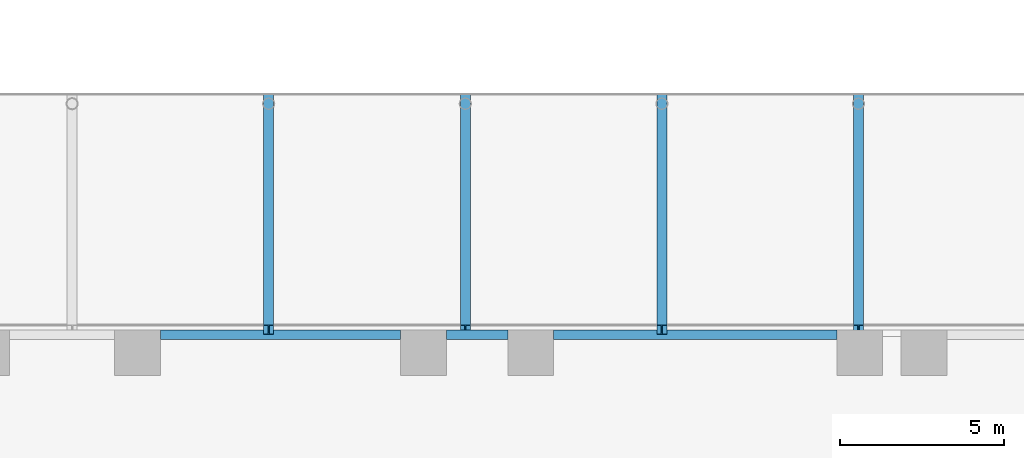
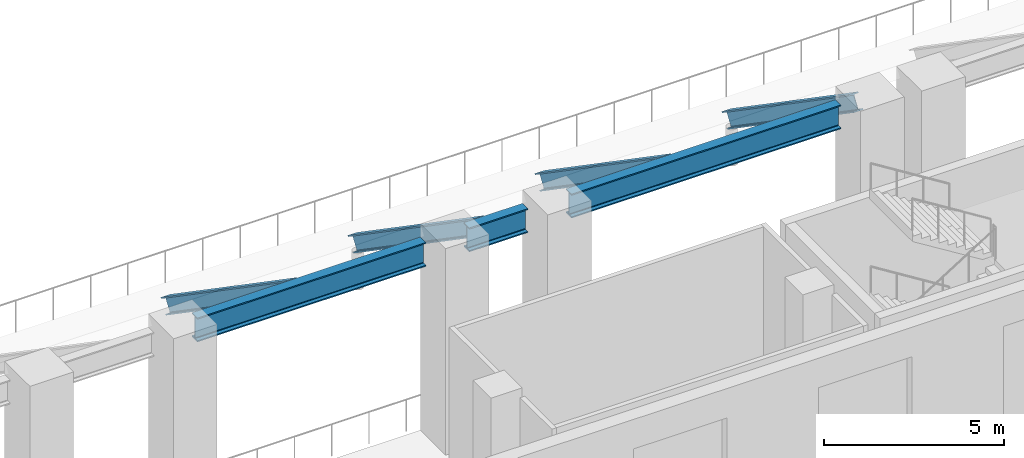
# One storey, part 10 of 41: 7 beams.
"""IFC4 building model written with IfcOpenShell, lengths in metres."""

from ifc_helpers import new_model, si_unit, direction, frame, origin, origin_2d, place, context, subcontext, project, spatial, i_section, extrude, material, material_profile, profile_set, type_object, element, save


model = new_model("IFC4")

# Units and contexts
model_context = context("Model", 3, precision=1e-05, world=origin(), true_north=direction((0.0, 1.0)))
body_context = subcontext(model_context, "Body", "Model", "MODEL_VIEW")
ifc_project = project(units=[si_unit("LENGTHUNIT", "METRE"), si_unit("AREAUNIT", "SQUARE_METRE"), si_unit("VOLUMEUNIT", "CUBIC_METRE"), si_unit("PLANEANGLEUNIT", "RADIAN"), si_unit("MASSUNIT", "GRAM", prefix="KILO")], contexts=[model_context])

# Site, building, storey
site_placement = place(None, origin())
site = spatial("IfcSite", under=ifc_project, at=site_placement, CompositionType="ELEMENT")
building_placement = place(site_placement, origin())
building = spatial("IfcBuilding", under=site, at=building_placement, Name="Wharfspan Tower", CompositionType="ELEMENT")
storey_placement = place(building_placement, frame((0.0, 0.0, 8.0)))
storey = spatial("IfcBuildingStorey", under=building, at=storey_placement, Name="L01", CompositionType="ELEMENT", Elevation=8.0)

# Beams
ifc_material = material(Name="Steel S460M", Category="steel")
ifc_material_profile_1 = material_profile(ifc_material, i_section(OverallWidth=0.305908, OverallDepth=0.523926, WebThickness=0.020996, FlangeThickness=0.040039, FilletRadius=0.0271, at=origin_2d()))
ifc_profile_set_1 = profile_set([ifc_material_profile_1], Name="Steel S460M")
beam_type_1 = type_object("IfcBeamType", Name="Raker beam HE 500 M", PredefinedType="BEAM", material=ifc_profile_set_1)
for number, where, z_axis, x_axis, name in (
    (1, (28.0, -14.148438, 1.384033), (0.0, -0.824029, 0.566547), (1.0, 0.0, 0.0), "Upper tier raker beam"),
    (2, (34.0, -14.148438, 1.384033), (0.0, -0.824029, 0.566547), (1.0, 0.0, 0.0), "Upper tier raker beam"),
    (3, (40.0, -14.148438, 1.384033), (0.0, -0.824029, 0.566547), (1.0, 0.0, 0.0), "Upper tier raker beam"),
    (4, (46.0, -14.148438, 1.384033), (0.0, -0.824029, 0.566547), (1.0, 0.0, 0.0), "Upper tier raker beam"),
):
    element("IfcBeam", number, at=place(storey_placement, frame(where, z_axis=z_axis, x_axis=x_axis)), inside=storey, type_object=beam_type_1, Name=name, PredefinedType="BEAM", context=body_context, shape_type="SweptSolid", body=[
        extrude(i_section(OverallWidth=0.305908, OverallDepth=0.523926, WebThickness=0.020996, FlangeThickness=0.040039, FilletRadius=0.0271, at=origin_2d()), origin(), (0.0, 0.0, 1.0), 8.557373),
    ])
ifc_material_profile_2 = material_profile(ifc_material, i_section(OverallWidth=0.302979, OverallDepth=0.813965, WebThickness=0.020996, FlangeThickness=0.040039, FilletRadius=0.030029, at=origin_2d()))
ifc_profile_set_2 = profile_set([ifc_material_profile_2], Name="Steel S460M")
beam_type_2 = type_object("IfcBeamType", Name="Ring girder HE 800 M", PredefinedType="BEAM", material=ifc_profile_set_2)
beam_1_placement = place(storey_placement, frame((24.699951, -21.351562, 6.143066), z_axis=(1.0, 0.0, 0.0), x_axis=(0.0, 1.0, 0.0)))
element("IfcBeam", 5, at=beam_1_placement, inside=storey, type_object=beam_type_2, Name="Ring girder of the upper tier", PredefinedType="BEAM", context=body_context, shape_type="SweptSolid", body=[
    extrude(i_section(OverallWidth=0.302979, OverallDepth=0.813965, WebThickness=0.020996, FlangeThickness=0.040039, FilletRadius=0.030029, at=origin_2d()), origin(), (0.0, 0.0, 1.0), 7.323975),
])
beam_2_placement = place(storey_placement, frame((33.424072, -21.351562, 6.143066), z_axis=(1.0, 0.0, 0.0), x_axis=(0.0, 1.0, 0.0)))
element("IfcBeam", 6, at=beam_2_placement, inside=storey, type_object=beam_type_2, Name="Ring girder of the upper tier", PredefinedType="BEAM", context=body_context, shape_type="SweptSolid", body=[
    extrude(i_section(OverallWidth=0.302979, OverallDepth=0.813965, WebThickness=0.020996, FlangeThickness=0.040039, FilletRadius=0.030029, at=origin_2d()), origin(), (0.0, 0.0, 1.0), 1.875977),
])
beam_3_placement = place(storey_placement, frame((36.699951, -21.351562, 6.143066), z_axis=(1.0, 0.0, 0.0), x_axis=(0.0, 1.0, 0.0)))
element("IfcBeam", 7, at=beam_3_placement, inside=storey, type_object=beam_type_2, Name="Ring girder of the upper tier", PredefinedType="BEAM", context=body_context, shape_type="SweptSolid", body=[
    extrude(i_section(OverallWidth=0.302979, OverallDepth=0.813965, WebThickness=0.020996, FlangeThickness=0.040039, FilletRadius=0.030029, at=origin_2d()), origin(), (0.0, 0.0, 1.0), 8.64209),
])

save(model, "model.ifc")
